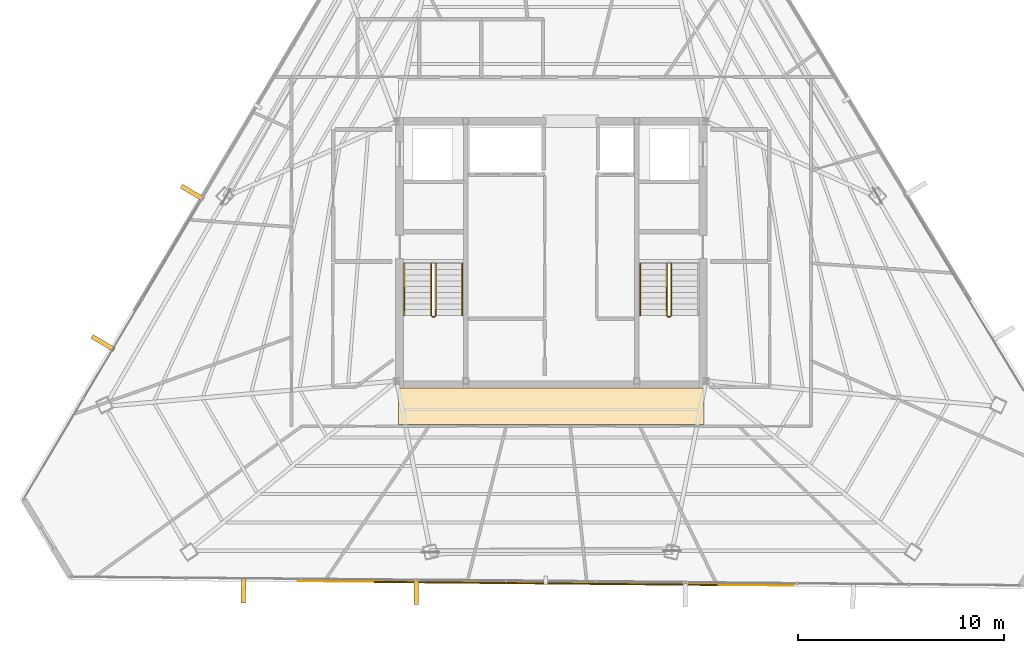
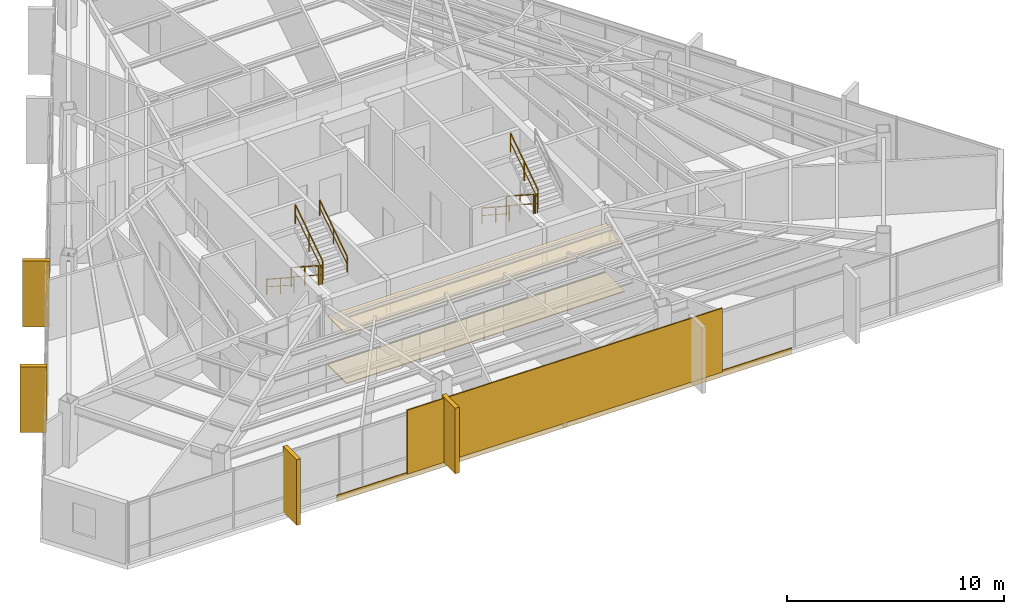
# One storey, part 40 of 42: 9 railings, 7 coverings, 1 shading device.
"""IFC4 building model written with IfcOpenShell, lengths in metres."""

from ifc_helpers import new_model, si_unit, direction, frame, origin, origin_2d, place, context, subcontext, project, spatial, polyline, rectangle, outline, extrude, source, transform, mapped, material, layer, layer_set, type_object, type_shapes, element, save


model = new_model("IFC4")

# Units and contexts
model_context = context("Model", 3, precision=1e-05, world=origin(), true_north=direction((0.0, 1.0)))
body_context = subcontext(model_context, "Body", "Model", "MODEL_VIEW")
ifc_project = project(units=[si_unit("LENGTHUNIT", "METRE"), si_unit("AREAUNIT", "SQUARE_METRE"), si_unit("VOLUMEUNIT", "CUBIC_METRE"), si_unit("PLANEANGLEUNIT", "RADIAN"), si_unit("MASSUNIT", "GRAM", prefix="KILO")], contexts=[model_context])

# Site, building, storey
site_placement = place(None, origin())
site = spatial("IfcSite", under=ifc_project, at=site_placement, CompositionType="ELEMENT")
building_placement = place(site_placement, origin())
building = spatial("IfcBuilding", under=site, at=building_placement, Name="Caelisora Broadcast Tower", CompositionType="ELEMENT")
storey_placement = place(building_placement, frame((0.0, 0.0, 244.449951171875)))
storey = spatial("IfcBuildingStorey", under=building, at=storey_placement, Name="L64", CompositionType="ELEMENT", Elevation=244.449951171875)

# Coverings
ifc_material_1 = material(Name="Perforated Mineral-Fibre Acoustic Ceiling Tile", Category="gypsum")
ifc_layer_1 = layer(ifc_material_1, 0.034912109375, Name="Perforated Mineral-Fibre Acoustic Ceiling Tile")
ifc_layer_set_1 = layer_set([ifc_layer_1], Name="Perforated Mineral-Fibre Acoustic Ceiling Tile")
covering_type_1 = type_object("IfcCoveringType", Name="CE-1", PredefinedType="CEILING", material=ifc_layer_set_1)
covering_1_placement = place(storey_placement, frame((0.0, 0.0, 2.75)))
element("IfcCovering", 1, at=covering_1_placement, inside=storey, type_object=covering_type_1, Name="L64 acoustic corridor ceiling CE-1 (S)", PredefinedType="CEILING", context=body_context, shape_type="SweptSolid", body=[
    extrude(outline(polyline([(30.60009765625, 15.300048828125), (45.39990234375, 15.300048828125), (45.39990234375, 17.050048828125), (30.60009765625, 17.050048828125), (30.60009765625, 15.300048828125)])), origin(), (0.0, 0.0, 1.0), 0.03515625),
])
ifc_material_2 = material(Name="Anti-Static Broadcast Raised Access Floor Panel", Category="steel")
ifc_layer_2 = layer(ifc_material_2, 0.044921875, Name="Anti-Static Broadcast Raised Access Floor Panel")
ifc_layer_set_2 = layer_set([ifc_layer_2], Name="Anti-Static Broadcast Raised Access Floor Panel")
covering_type_2 = type_object("IfcCoveringType", Name="FL-1", PredefinedType="FLOORING", material=ifc_layer_set_2)
covering_2_placement = place(storey_placement, origin())
element("IfcCovering", 2, at=covering_2_placement, inside=storey, type_object=covering_type_2, Name="L64 broadcast raised access floor FL-1 (S)", PredefinedType="FLOORING", context=body_context, shape_type="SweptSolid", body=[
    extrude(outline(polyline([(30.60009765625, 15.300048828125), (45.39990234375, 15.300048828125), (45.39990234375, 17.050048828125), (30.60009765625, 17.050048828125), (30.60009765625, 15.300048828125)])), origin(), (0.0, 0.0, 1.0), 0.045166015625),
])

# Railings
ifc_material_3 = material(Name="Galvanised Steel Safety Guardrail", Category="steel")
ifc_layer_3 = layer(ifc_material_3, 0.048095703125, Name="Galvanised Steel Safety Guardrail")
ifc_layer_set_3 = layer_set([ifc_layer_3], Name="Galvanised Steel Safety Guardrail")
railing_type_1 = type_object("IfcRailingType", Name="GR-1", PredefinedType="GUARDRAIL", material=ifc_layer_set_3)
railing_1_placement = place(storey_placement, frame((32.169921875, 23.10009765625, 0.1826171875)))
element("IfcRailing", 3, at=railing_1_placement, inside=storey, type_object=railing_type_1, Name="L64 ST-1 stair guard 1", PredefinedType="GUARDRAIL", context=body_context, shape_type="SweptSolid", body=[
    extrude(rectangle(XDim=0.048095703125, YDim=0.048095703125, at=origin_2d()), frame((0.0, 0.0, 1.076171875), z_axis=(0.0, -0.837786554691, 0.545997883492), x_axis=(1.0, 0.0, 0.0)), (0.0, 0.0, 1.0), 3.008056640625),
    extrude(rectangle(XDim=0.03125, YDim=0.03125, at=origin_2d()), frame((0.0, 0.0, 0.550048828125), z_axis=(0.0, -0.837786554691, 0.545997883492), x_axis=(1.0, 0.0, 0.0)), (0.0, 0.0, 1.0), 3.008056640625),
    extrude(rectangle(XDim=0.0419921875, YDim=0.0419921875, at=origin_2d()), origin(), (0.0, 0.0, 1.0), 1.052001953125),
    extrude(rectangle(XDim=0.0419921875, YDim=0.0419921875, at=origin_2d()), frame((0.0, -1.260009765625, 0.8212890625)), (0.0, 0.0, 1.0), 1.052001953125),
    extrude(rectangle(XDim=0.0419921875, YDim=0.0419921875, at=origin_2d()), frame((0.0, -2.52001953125, 1.642333984375)), (0.0, 0.0, 1.0), 1.052001953125),
])
railing_2_placement = place(storey_placement, frame((32.219970703125, 20.530029296875, 1.824951171875)))
element("IfcRailing", 4, at=railing_2_placement, inside=storey, type_object=railing_type_1, Name="L64 ST-1 stair guard 2", PredefinedType="GUARDRAIL", context=body_context, shape_type="SweptSolid", body=[
    extrude(rectangle(XDim=0.048095703125, YDim=0.048095703125, at=origin_2d()), frame((0.0, 0.0, 1.076171875), z_axis=(1.0, 0.0, 0.0), x_axis=(0.0, 1.0, 0.0)), (0.0, 0.0, 1.0), 0.1201171875),
    extrude(rectangle(XDim=0.03125, YDim=0.03125, at=origin_2d()), frame((0.0, 0.0, 0.550048828125), z_axis=(1.0, 0.0, 0.0), x_axis=(0.0, 1.0, 0.0)), (0.0, 0.0, 1.0), 0.1201171875),
    extrude(rectangle(XDim=0.0419921875, YDim=0.0419921875, at=origin_2d()), origin(), (0.0, 0.0, 1.0), 1.052001953125),
    extrude(rectangle(XDim=0.0419921875, YDim=0.0419921875, at=origin_2d()), frame((0.1201171875, 0.0, 0.0)), (0.0, 0.0, 1.0), 1.052001953125),
])
railing_3_placement = place(storey_placement, frame((32.389892578125, 20.580078125, 2.007568359375)))
element("IfcRailing", 5, at=railing_3_placement, inside=storey, type_object=railing_type_1, Name="L64 ST-1 stair guard 3", PredefinedType="GUARDRAIL", context=body_context, shape_type="SweptSolid", body=[
    extrude(rectangle(XDim=0.048095703125, YDim=0.048095703125, at=origin_2d()), frame((0.0, 0.0, 1.076171875), z_axis=(0.0, 0.837749427056, 0.546054848405), x_axis=(-1.0, 0.0, 0.0)), (0.0, 0.0, 1.0), 3.008056640625),
    extrude(rectangle(XDim=0.03125, YDim=0.03125, at=origin_2d()), frame((0.0, 0.0, 0.550048828125), z_axis=(0.0, 0.837749427056, 0.546054848405), x_axis=(-1.0, 0.0, 0.0)), (0.0, 0.0, 1.0), 3.008056640625),
    extrude(rectangle(XDim=0.0419921875, YDim=0.0419921875, at=origin_2d()), origin(), (0.0, 0.0, 1.0), 1.052001953125),
    extrude(rectangle(XDim=0.0419921875, YDim=0.0419921875, at=origin_2d()), frame((0.0, 1.260009765625, 0.8212890625)), (0.0, 0.0, 1.0), 1.052001953125),
    extrude(rectangle(XDim=0.0419921875, YDim=0.0419921875, at=origin_2d()), frame((0.0, 2.52001953125, 1.642578125)), (0.0, 0.0, 1.0), 1.052001953125),
])
railing_4_placement = place(storey_placement, frame((43.610107421875, 23.10009765625, 0.1826171875)))
element("IfcRailing", 6, at=railing_4_placement, inside=storey, type_object=railing_type_1, Name="L64 ST-2 stair guard 1", PredefinedType="GUARDRAIL", context=body_context, shape_type="SweptSolid", body=[
    extrude(rectangle(XDim=0.048095703125, YDim=0.048095703125, at=origin_2d()), frame((0.0, 0.0, 1.076171875), z_axis=(0.0, -0.837786554691, 0.545997883492), x_axis=(1.0, 0.0, 0.0)), (0.0, 0.0, 1.0), 3.008056640625),
    extrude(rectangle(XDim=0.03125, YDim=0.03125, at=origin_2d()), frame((0.0, 0.0, 0.550048828125), z_axis=(0.0, -0.837786554691, 0.545997883492), x_axis=(1.0, 0.0, 0.0)), (0.0, 0.0, 1.0), 3.008056640625),
    extrude(rectangle(XDim=0.0419921875, YDim=0.0419921875, at=origin_2d()), origin(), (0.0, 0.0, 1.0), 1.052001953125),
    extrude(rectangle(XDim=0.0419921875, YDim=0.0419921875, at=origin_2d()), frame((0.0, -1.260009765625, 0.8212890625)), (0.0, 0.0, 1.0), 1.052001953125),
    extrude(rectangle(XDim=0.0419921875, YDim=0.0419921875, at=origin_2d()), frame((0.0, -2.52001953125, 1.642333984375)), (0.0, 0.0, 1.0), 1.052001953125),
])
railing_5_placement = place(storey_placement, frame((43.659912109375, 20.530029296875, 1.824951171875)))
element("IfcRailing", 7, at=railing_5_placement, inside=storey, type_object=railing_type_1, Name="L64 ST-2 stair guard 2", PredefinedType="GUARDRAIL", context=body_context, shape_type="SweptSolid", body=[
    extrude(rectangle(XDim=0.048095703125, YDim=0.048095703125, at=origin_2d()), frame((0.0, 0.0, 1.076171875), z_axis=(1.0, 0.0, 0.0), x_axis=(0.0, 1.0, 0.0)), (0.0, 0.0, 1.0), 0.1201171875),
    extrude(rectangle(XDim=0.03125, YDim=0.03125, at=origin_2d()), frame((0.0, 0.0, 0.550048828125), z_axis=(1.0, 0.0, 0.0), x_axis=(0.0, 1.0, 0.0)), (0.0, 0.0, 1.0), 0.1201171875),
    extrude(rectangle(XDim=0.0419921875, YDim=0.0419921875, at=origin_2d()), origin(), (0.0, 0.0, 1.0), 1.052001953125),
    extrude(rectangle(XDim=0.0419921875, YDim=0.0419921875, at=origin_2d()), frame((0.1201171875, 0.0, 0.0)), (0.0, 0.0, 1.0), 1.052001953125),
])
railing_6_placement = place(storey_placement, frame((43.830078125, 20.580078125, 2.007568359375)))
element("IfcRailing", 8, at=railing_6_placement, inside=storey, type_object=railing_type_1, Name="L64 ST-2 stair guard 3", PredefinedType="GUARDRAIL", context=body_context, shape_type="SweptSolid", body=[
    extrude(rectangle(XDim=0.048095703125, YDim=0.048095703125, at=origin_2d()), frame((0.0, 0.0, 1.076171875), z_axis=(0.0, 0.837749427056, 0.546054848405), x_axis=(-1.0, 0.0, 0.0)), (0.0, 0.0, 1.0), 3.008056640625),
    extrude(rectangle(XDim=0.03125, YDim=0.03125, at=origin_2d()), frame((0.0, 0.0, 0.550048828125), z_axis=(0.0, 0.837749427056, 0.546054848405), x_axis=(-1.0, 0.0, 0.0)), (0.0, 0.0, 1.0), 3.008056640625),
    extrude(rectangle(XDim=0.0419921875, YDim=0.0419921875, at=origin_2d()), origin(), (0.0, 0.0, 1.0), 1.052001953125),
    extrude(rectangle(XDim=0.0419921875, YDim=0.0419921875, at=origin_2d()), frame((0.0, 1.260009765625, 0.8212890625)), (0.0, 0.0, 1.0), 1.052001953125),
    extrude(rectangle(XDim=0.0419921875, YDim=0.0419921875, at=origin_2d()), frame((0.0, 2.52001953125, 1.642578125)), (0.0, 0.0, 1.0), 1.052001953125),
])
ifc_material_4 = material(Name="Stainless Steel Grade 316 Tubular Handrail", Category="steel")
ifc_layer_4 = layer(ifc_material_4, 0.048095703125, Name="Stainless Steel Grade 316 Tubular Handrail")
ifc_layer_set_4 = layer_set([ifc_layer_4], Name="Stainless Steel Grade 316 Tubular Handrail")
railing_type_2 = type_object("IfcRailingType", Name="HR-1", PredefinedType="HANDRAIL", material=ifc_layer_set_4)
railing_7_placement = place(storey_placement, frame((30.8701171875, 23.10009765625, 0.1826171875)))
element("IfcRailing", 9, at=railing_7_placement, inside=storey, type_object=railing_type_2, Name="L64 ST-1 stair handrail 1", PredefinedType="HANDRAIL", context=body_context, shape_type="SweptSolid", body=[
    extrude(rectangle(XDim=0.048095703125, YDim=0.048095703125, at=origin_2d()), frame((0.0, 0.0, 0.8759765625), z_axis=(0.0, -0.837786554691, 0.545997883492), x_axis=(1.0, 0.0, 0.0)), (0.0, 0.0, 1.0), 3.008056640625),
    extrude(rectangle(XDim=0.03125, YDim=0.03125, at=origin_2d()), frame((0.0, 0.0, 0.449951171875), z_axis=(0.0, -0.837786554691, 0.545997883492), x_axis=(1.0, 0.0, 0.0)), (0.0, 0.0, 1.0), 3.008056640625),
    extrude(rectangle(XDim=0.0419921875, YDim=0.0419921875, at=origin_2d()), origin(), (0.0, 0.0, 1.0), 0.851806640625),
    extrude(rectangle(XDim=0.0419921875, YDim=0.0419921875, at=origin_2d()), frame((0.0, -1.260009765625, 0.8212890625)), (0.0, 0.0, 1.0), 0.851806640625),
    extrude(rectangle(XDim=0.0419921875, YDim=0.0419921875, at=origin_2d()), frame((0.0, -2.52001953125, 1.642333984375)), (0.0, 0.0, 1.0), 0.851806640625),
])
railing_8_placement = place(storey_placement, frame((33.68994140625, 20.580078125, 2.007568359375)))
element("IfcRailing", 10, at=railing_8_placement, inside=storey, type_object=railing_type_2, Name="L64 ST-1 stair handrail 2", PredefinedType="HANDRAIL", context=body_context, shape_type="SweptSolid", body=[
    extrude(rectangle(XDim=0.048095703125, YDim=0.048095703125, at=origin_2d()), frame((0.0, 0.0, 0.8759765625), z_axis=(0.0, 0.837749427056, 0.546054848405), x_axis=(-1.0, 0.0, 0.0)), (0.0, 0.0, 1.0), 3.008056640625),
    extrude(rectangle(XDim=0.03125, YDim=0.03125, at=origin_2d()), frame((0.0, 0.0, 0.449951171875), z_axis=(0.0, 0.837749427056, 0.546054848405), x_axis=(-1.0, 0.0, 0.0)), (0.0, 0.0, 1.0), 3.008056640625),
    extrude(rectangle(XDim=0.0419921875, YDim=0.0419921875, at=origin_2d()), origin(), (0.0, 0.0, 1.0), 0.851806640625),
    extrude(rectangle(XDim=0.0419921875, YDim=0.0419921875, at=origin_2d()), frame((0.0, 1.260009765625, 0.8212890625)), (0.0, 0.0, 1.0), 0.851806640625),
    extrude(rectangle(XDim=0.0419921875, YDim=0.0419921875, at=origin_2d()), frame((0.0, 2.52001953125, 1.642578125)), (0.0, 0.0, 1.0), 0.851806640625),
])
railing_9_placement = place(storey_placement, frame((42.31005859375, 23.10009765625, 0.1826171875)))
element("IfcRailing", 11, at=railing_9_placement, inside=storey, type_object=railing_type_2, Name="L64 ST-2 stair handrail 1", PredefinedType="HANDRAIL", context=body_context, shape_type="SweptSolid", body=[
    extrude(rectangle(XDim=0.048095703125, YDim=0.048095703125, at=origin_2d()), frame((0.0, 0.0, 0.8759765625), z_axis=(0.0, -0.837786554691, 0.545997883492), x_axis=(1.0, 0.0, 0.0)), (0.0, 0.0, 1.0), 3.008056640625),
    extrude(rectangle(XDim=0.03125, YDim=0.03125, at=origin_2d()), frame((0.0, 0.0, 0.449951171875), z_axis=(0.0, -0.837786554691, 0.545997883492), x_axis=(1.0, 0.0, 0.0)), (0.0, 0.0, 1.0), 3.008056640625),
    extrude(rectangle(XDim=0.0419921875, YDim=0.0419921875, at=origin_2d()), origin(), (0.0, 0.0, 1.0), 0.851806640625),
    extrude(rectangle(XDim=0.0419921875, YDim=0.0419921875, at=origin_2d()), frame((0.0, -1.260009765625, 0.8212890625)), (0.0, 0.0, 1.0), 0.851806640625),
    extrude(rectangle(XDim=0.0419921875, YDim=0.0419921875, at=origin_2d()), frame((0.0, -2.52001953125, 1.642333984375)), (0.0, 0.0, 1.0), 0.851806640625),
])

# Coverings
ifc_material_5 = material(Name="Kiln-Fired Terracotta Spandrel Rainscreen Cladding", Category="ceramic")
ifc_layer_5 = layer(ifc_material_5, 0.044921875, Name="Kiln-Fired Terracotta Spandrel Rainscreen Cladding")
ifc_layer_set_5 = layer_set([ifc_layer_5], Name="Kiln-Fired Terracotta Spandrel Rainscreen Cladding")
covering_type_3 = type_object("IfcCoveringType", Name="CL-1", PredefinedType="CLADDING", material=ifc_layer_set_5)
shared_shape_1 = source(origin(), body_context, "Body", "SweptSolid", [
    extrude(rectangle(XDim=0.219970703125, YDim=1.25, at=origin_2d()), origin(), (0.0, 0.0, 1.0), 3.68994140625),
])
for number, where, z_axis, x_axis, name in (
    (12, (31.456787109375, 7.18798828125, -0.02001953125), (0.0, 0.0, 1.0), (-0.999958816008, 0.009075587519, 0.0), "L64 vertical solar fin cladding #2-3"),
    (13, (23.0703125, 7.263427734375, -0.02001953125), (0.0, 0.0, 1.0), (-0.999958816008, 0.009075587519, 0.0), "L64 vertical solar fin cladding #2-4"),
    (14, (16.2578125, 19.243408203125, -0.02001953125), (0.0, 0.0, 1.0), (0.510993065504, 0.859584834096, 0.0), "L64 vertical solar fin cladding #3-1"),
    (15, (20.593017578125, 26.535400390625, -0.02001953125), (0.0, 0.0, 1.0), (0.510993065504, 0.859584834096, 0.0), "L64 vertical solar fin cladding #3-2"),
):
    element("IfcCovering", number, at=place(storey_placement, frame(where, z_axis=z_axis, x_axis=x_axis)), inside=storey, type_object=covering_type_3, Name=name, PredefinedType="CLADDING", context=body_context, shape_type="MappedRepresentation", body=[
        mapped(shared_shape_1, transform((0.0, 0.0, 0.0), scale=1.0)),
    ])

# Shading device
ifc_material_6 = material(Name="Perforated Glazed Terracotta Baguette Solar Screen", Category="ceramic")
ifc_layer_6 = layer(ifc_material_6, 0.06494140625, Name="Perforated Glazed Terracotta Baguette Solar Screen")
ifc_layer_set_6 = layer_set([ifc_layer_6], Name="Perforated Glazed Terracotta Baguette Solar Screen")
shading_device_type = type_object("IfcShadingDeviceType", Name="SS-1", PredefinedType="USERDEFINED", material=ifc_layer_set_6)
shared_shape_2 = source(origin(), body_context, "Body", "SweptSolid", [
    extrude(rectangle(XDim=16.653076171875, YDim=0.06494140625, at=origin_2d()), origin(), (0.0, 0.0, 1.0), 3.590087890625),
])
type_shapes(shading_device_type, [shared_shape_2])
shading_device_placement = place(storey_placement, frame((37.73291015625, 7.58154296875, 0.0), z_axis=(0.0, 0.0, 1.0), x_axis=(0.999958816008, -0.009075587519, 0.0)))
element("IfcShadingDevice", 16, at=shading_device_placement, inside=storey, type_object=shading_device_type, Name="L64 perforated terracotta solar screen #2", ObjectType="SOLAR SCREEN", PredefinedType="USERDEFINED", context=body_context, shape_type="MappedRepresentation", body=[
    mapped(shared_shape_2, transform((0.0, 0.0, 0.0), scale=1.0)),
])

# Covering
shared_shape_3 = source(origin(), body_context, "Body", "SweptSolid", [
    extrude(rectangle(XDim=24.054931640625, YDim=0.044921875, at=origin_2d()), origin(), (0.0, 0.0, 1.0), 0.340087890625),
])
type_shapes(covering_type_3, [shared_shape_1, shared_shape_3])
covering_3_placement = place(storey_placement, frame((37.73291015625, 7.6015625, -0.27001953125), z_axis=(0.0, 0.0, 1.0), x_axis=(0.999958816008, -0.009075587519, 0.0)))
element("IfcCovering", 17, at=covering_3_placement, inside=storey, type_object=covering_type_3, Name="L64 terracotta spandrel rainscreen #2", PredefinedType="CLADDING", context=body_context, shape_type="MappedRepresentation", body=[
    mapped(shared_shape_3, transform((0.0, 0.0, 0.0), scale=1.0)),
])

save(model, "model.ifc")
